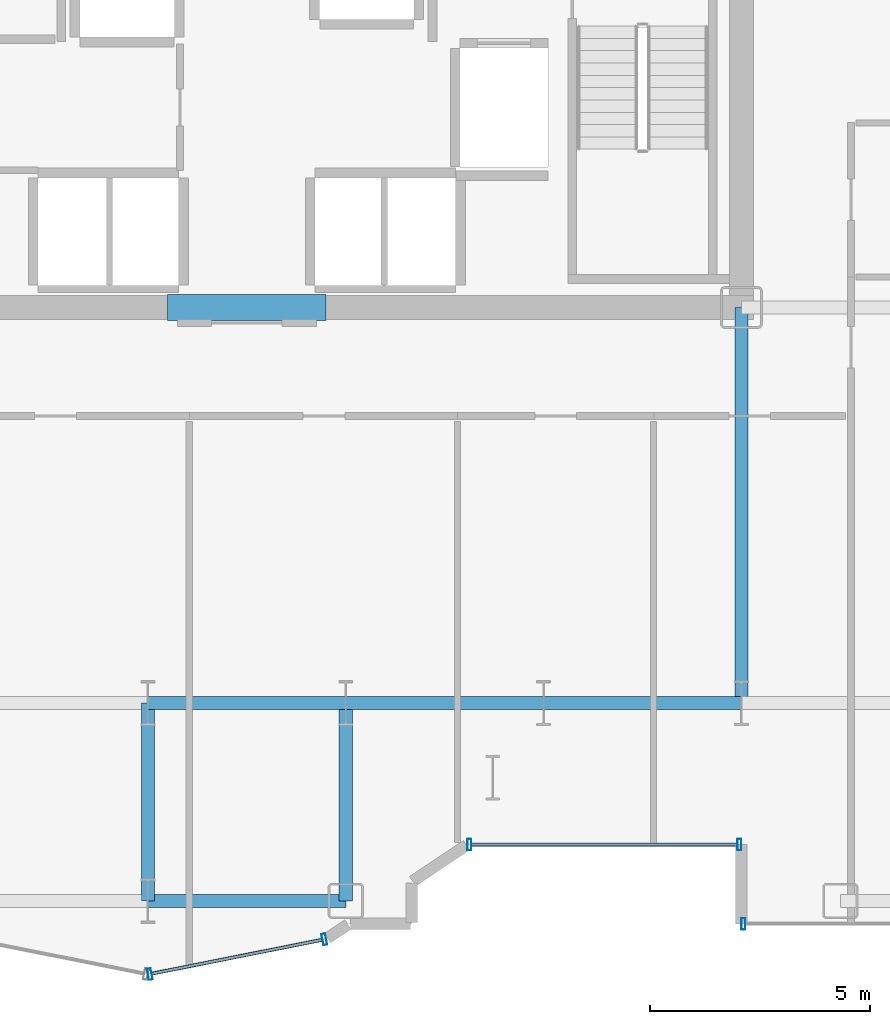
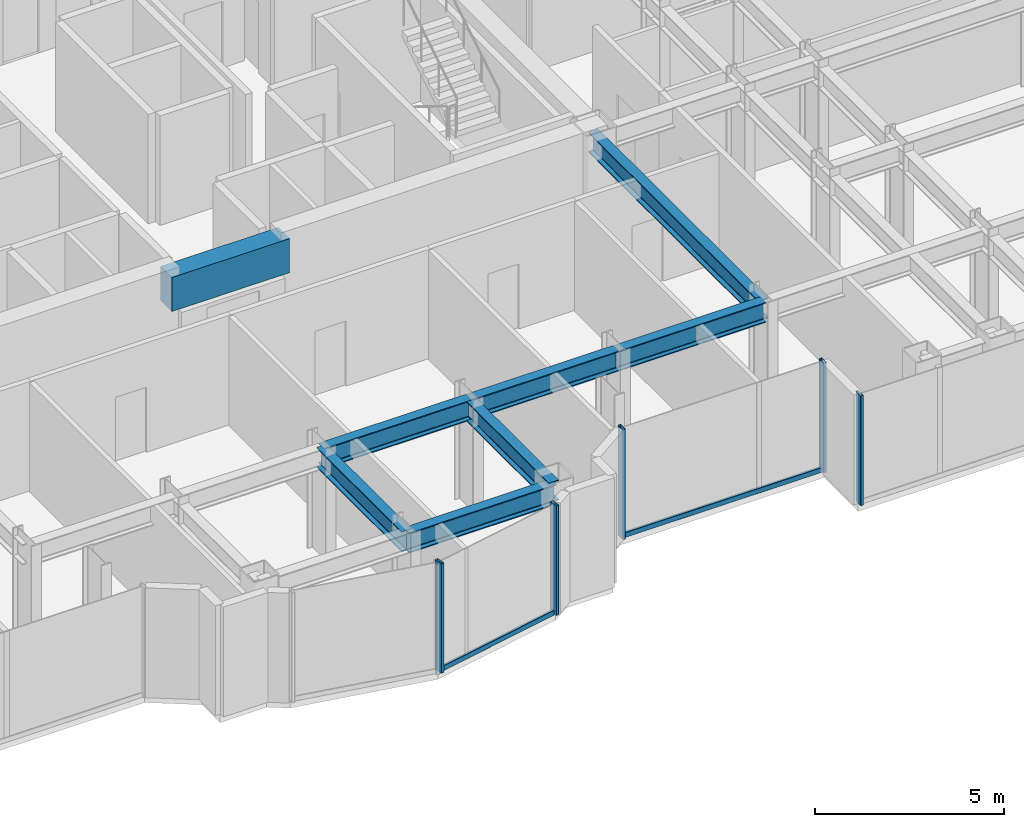
# One storey, part 6 of 26: 8 beams, 7 members, 3 elements without a shape of their own.
"""IFC4 building model written with IfcOpenShell, lengths in metres."""

from ifc_helpers import new_model, si_unit, direction, frame, origin, origin_2d, place, context, subcontext, project, spatial, rectangle, hollow_rectangle, i_section, extrude, source, transform, mapped, material, layer, layer_set, material_profile, profile_set, type_object, element, aggregate, save


model = new_model("IFC4")

# Units and contexts
model_context = context("Model", 3, precision=1e-05, world=origin(), true_north=direction((0.0, 1.0)))
body_context = subcontext(model_context, "Body", "Model", "MODEL_VIEW")
ifc_project = project(units=[si_unit("LENGTHUNIT", "METRE"), si_unit("AREAUNIT", "SQUARE_METRE"), si_unit("VOLUMEUNIT", "CUBIC_METRE"), si_unit("PLANEANGLEUNIT", "RADIAN"), si_unit("MASSUNIT", "GRAM", prefix="KILO")], contexts=[model_context])

# Site, building, storey
site_placement = place(None, origin())
site = spatial("IfcSite", under=ifc_project, at=site_placement, CompositionType="ELEMENT")
building_placement = place(site_placement, origin())
building = spatial("IfcBuilding", under=site, at=building_placement, Name="Nefas-Gora Pilgrimage Tower", CompositionType="ELEMENT")
storey_placement = place(building_placement, frame((0.0, 0.0, 132.60009765625)))
storey = spatial("IfcBuildingStorey", under=building, at=storey_placement, Name="L32", CompositionType="ELEMENT", Elevation=132.60009765625)

# Beams
ifc_material_1 = material(Name="Concrete C60/75", Category="concrete")
ifc_material_profile_1 = material_profile(ifc_material_1, rectangle(XDim=0.60009765625, YDim=1.10009765625, at=origin_2d()), Name="RC 600x1100")
ifc_profile_set_1 = profile_set([ifc_material_profile_1], Name="Concrete C60/75")
beam_type_1 = type_object("IfcBeamType", Name="BM-LIN-RC1100", PredefinedType="LINTEL", material=ifc_profile_set_1)
shared_shape_1 = source(origin(), body_context, "Body", "SweptSolid", [
    extrude(rectangle(XDim=0.60009765625, YDim=1.10009765625, at=origin_2d()), origin(), (0.0, 0.0, 1.0), 3.60009765625),
])
beam_1_placement = place(storey_placement, frame((-1.800048828125, -9.0, 3.0), z_axis=(1.0, 0.0, 0.0), x_axis=(0.0, 1.0, 0.0)))
element("IfcBeam", 1, at=beam_1_placement, inside=storey, type_object=beam_type_1, Name="L32 Core Coupling Lintel Beam S", PredefinedType="LINTEL", context=body_context, shape_type="MappedRepresentation", body=[
    mapped(shared_shape_1, transform((0.0, 0.0, 0.0), x_axis=(1.0, 0.0, 0.0), y_axis=(0.0, 1.0, 0.0), z_axis=(0.0, 0.0, 1.0), scale=1.0)),
])
ifc_material_2 = material(Name="Steel S355", Category="steel")
ifc_material_profile_2 = material_profile(ifc_material_2, i_section(OverallWidth=0.300048828125, OverallDepth=0.64990234375, WebThickness=0.01611328125, FlangeThickness=0.031005859375, FilletRadius=0.027099609375, at=origin_2d()), Name="HEB 650")
ifc_profile_set_2 = profile_set([ifc_material_profile_2], Name="Steel S355")
beam_type_2 = type_object("IfcBeamType", Name="BM-GIR-HEB650", PredefinedType="BEAM", material=ifc_profile_set_2)
shared_shape_2 = source(origin(), body_context, "Body", "SweptSolid", [
    extrude(i_section(OverallWidth=0.300048828125, OverallDepth=0.64990234375, WebThickness=0.01611328125, FlangeThickness=0.031005859375, FilletRadius=0.027099609375, at=origin_2d()), origin(), (0.0, 0.0, 1.0), 9.0),
])
beam_2_placement = place(storey_placement, frame((11.25, -18.0, 3.224853515625), z_axis=(0.0, 1.0, 0.0), x_axis=(-1.0, 0.0, 0.0)))
element("IfcBeam", 2, at=beam_2_placement, inside=storey, type_object=beam_type_2, Name="L32 G-03 beam", PredefinedType="BEAM", context=body_context, shape_type="MappedRepresentation", body=[
    mapped(shared_shape_2, transform((0.0, 0.0, 0.0), x_axis=(1.0, 0.0, 0.0), y_axis=(0.0, 1.0, 0.0), z_axis=(0.0, 0.0, 1.0), scale=1.0)),
])
shared_shape_3 = source(origin(), body_context, "Body", "SweptSolid", [
    extrude(i_section(OverallWidth=0.300048828125, OverallDepth=0.64990234375, WebThickness=0.01611328125, FlangeThickness=0.031005859375, FilletRadius=0.027099609375, at=origin_2d()), origin(), (0.0, 0.0, 1.0), 4.5),
])
for number, where, z_axis, x_axis, name in (
    (3, (-2.25, -22.5, 3.224853515625), (0.0, 1.0, 0.0), (-1.0, 0.0, 0.0), "L32 G-03 beam"),
    (4, (-2.25, -22.5, 3.224853515625), (1.0, 0.0, 0.0), (0.0, 1.0, 0.0), "L32 G-03 beam"),
    (5, (-2.25, -18.0, 3.224853515625), (1.0, 0.0, 0.0), (0.0, 1.0, 0.0), "L32 G-03 beam"),
    (6, (2.25, -22.5, 3.224853515625), (0.0, 1.0, 0.0), (-1.0, 0.0, 0.0), "L32 G-03 beam"),
    (7, (2.25, -18.0, 3.224853515625), (1.0, 0.0, 0.0), (0.0, 1.0, 0.0), "L32 G-03 beam"),
    (8, (6.75, -18.0, 3.224853515625), (1.0, 0.0, 0.0), (0.0, 1.0, 0.0), "L32 G-03 beam"),
):
    element("IfcBeam", number, at=place(storey_placement, frame(where, z_axis=z_axis, x_axis=x_axis)), inside=storey, type_object=beam_type_2, Name=name, PredefinedType="BEAM", context=body_context, shape_type="MappedRepresentation", body=[
        mapped(shared_shape_3, transform((0.0, 0.0, 0.0), x_axis=(1.0, 0.0, 0.0), y_axis=(0.0, 1.0, 0.0), z_axis=(0.0, 0.0, 1.0), scale=1.0)),
    ])

# Curtain wall, member
ifc_material_3 = material(Name="Dark ceramic-fritted solar-control aluminium-glass curtain wall", Category="aluminium")
ifc_layer_1 = layer(ifc_material_3, 0.219970703125)
ifc_layer_set_1 = layer_set([ifc_layer_1], Name="Dark ceramic-fritted solar-control aluminium-glass curtain wall")
curtain_wall_type_1 = type_object("IfcCurtainWallType", Name="CW-SYS-5", PredefinedType="NOTDEFINED", material=ifc_layer_set_1)
curtain_wall_1_placement = place(storey_placement, origin())
curtain_wall_1 = element("IfcCurtainWall", 9, at=curtain_wall_1_placement, inside=storey, type_object=curtain_wall_type_1, Name="L32 Unitised Curtain Wall CW5", PredefinedType="NOTDEFINED")
ifc_material_4 = material(Name="Anodised architectural aluminium", Category="aluminium")
ifc_material_profile_3 = material_profile(ifc_material_4, hollow_rectangle(XDim=0.080078125, YDim=0.159912109375, WallThickness=0.00439453125, InnerFilletRadius=0.00439453125, OuterFilletRadius=0.009033203125, at=origin_2d()), Name="ALU TRANSOM 80x160")
ifc_profile_set_3 = profile_set([ifc_material_profile_3], Name="Anodised architectural aluminium")
member_type_1 = type_object("IfcMemberType", Name="CWM-TRN-5", PredefinedType="USERDEFINED", material=ifc_profile_set_3)
shared_shape_4 = source(origin(), body_context, "Body", "SweptSolid", [
    extrude(hollow_rectangle(XDim=0.080078125, YDim=0.159912109375, WallThickness=0.00439453125, InnerFilletRadius=0.00439453125, OuterFilletRadius=0.009033203125, at=origin_2d()), origin(), (0.0, 0.0, 1.0), 6.052001953125),
])
member_1_placement = place(storey_placement, frame((5.10791015625, -21.219970703125, 0.0498046875), z_axis=(1.0, 0.0, 0.0), x_axis=(0.0, 1.0, 0.0)))
member_1 = element("IfcMember", 10, at=member_1_placement, type_object=member_type_1, Name="CW5 Spandrel Transom", ObjectType="TRANSOM", PredefinedType="USERDEFINED", context=body_context, shape_type="MappedRepresentation", body=[
    mapped(shared_shape_4, transform((0.0, 0.0, 0.0), x_axis=(1.0, 0.0, 0.0), y_axis=(0.0, 1.0, 0.0), z_axis=(0.0, 0.0, 1.0), scale=1.0)),
])

curtain_wall_2_placement = place(storey_placement, origin())
curtain_wall_2 = element("IfcCurtainWall", 11, at=curtain_wall_2_placement, inside=storey, type_object=curtain_wall_type_1, Name="L32 Unitised Curtain Wall CW5", PredefinedType="NOTDEFINED")
shared_shape_5 = source(origin(), body_context, "Body", "SweptSolid", [
    extrude(hollow_rectangle(XDim=0.080078125, YDim=0.159912109375, WallThickness=0.00439453125, InnerFilletRadius=0.00439453125, OuterFilletRadius=0.009033203125, at=origin_2d()), origin(), (0.0, 0.0, 1.0), 3.95654296875),
])
member_2_placement = place(storey_placement, frame((-2.16162109375, -24.15478515625, 0.0498046875), z_axis=(0.980781880918, 0.195107411605, 0.0), x_axis=(-0.195107411605, 0.980781880918, 0.0)))
member_2 = element("IfcMember", 12, at=member_2_placement, type_object=member_type_1, Name="CW5 Spandrel Transom", ObjectType="TRANSOM", PredefinedType="USERDEFINED", context=body_context, shape_type="MappedRepresentation", body=[
    mapped(shared_shape_5, transform((0.0, 0.0, 0.0), x_axis=(1.0, 0.0, 0.0), y_axis=(0.0, 1.0, 0.0), z_axis=(0.0, 0.0, 1.0), scale=1.0)),
])

# Member
ifc_material_profile_4 = material_profile(ifc_material_4, hollow_rectangle(XDim=0.090087890625, YDim=0.260009765625, WallThickness=0.006103515625, InnerFilletRadius=0.006103515625, OuterFilletRadius=0.011962890625, at=origin_2d()), Name="ALU MULLION 90x260")
ifc_profile_set_4 = profile_set([ifc_material_profile_4], Name="Anodised architectural aluminium")
member_type_2 = type_object("IfcMemberType", Name="CWM-MUL-5", PredefinedType="MULLION", material=ifc_profile_set_4)
shared_shape_6 = source(origin(), body_context, "Body", "SweptSolid", [
    extrude(hollow_rectangle(XDim=0.090087890625, YDim=0.260009765625, WallThickness=0.006103515625, InnerFilletRadius=0.006103515625, OuterFilletRadius=0.011962890625, at=origin_2d()), origin(), (0.0, 0.0, 1.0), 3.5498046875),
])
member_3_placement = place(storey_placement, frame((5.06298828125, -21.219970703125, 0.0), z_axis=(0.0, 0.0, 1.0), x_axis=(1.0, 0.0, 0.0)))
member_3 = element("IfcMember", 13, at=member_3_placement, type_object=member_type_2, Name="CW5 Mullion 1", PredefinedType="MULLION", context=body_context, shape_type="MappedRepresentation", body=[
    mapped(shared_shape_6, transform((0.0, 0.0, 0.0), x_axis=(1.0, 0.0, 0.0), y_axis=(0.0, 1.0, 0.0), z_axis=(0.0, 0.0, 1.0), scale=1.0)),
])

member_4_placement = place(storey_placement, frame((11.205078125, -21.219970703125, 0.0), z_axis=(0.0, 0.0, 1.0), x_axis=(1.0, 0.0, 0.0)))
member_4 = element("IfcMember", 14, at=member_4_placement, type_object=member_type_2, Name="CW5 Mullion 2", PredefinedType="MULLION", context=body_context, shape_type="MappedRepresentation", body=[
    mapped(shared_shape_6, transform((0.0, 0.0, 0.0), x_axis=(1.0, 0.0, 0.0), y_axis=(0.0, 1.0, 0.0), z_axis=(0.0, 0.0, 1.0), scale=1.0)),
])

aggregate(curtain_wall_1, [member_3, member_4, member_1])

member_5_placement = place(storey_placement, frame((-2.205810546875, -24.16357421875, 0.0), z_axis=(0.0, 0.0, 1.0), x_axis=(0.980782896852, 0.195102304554, 0.0)))
member_5 = element("IfcMember", 15, at=member_5_placement, type_object=member_type_2, Name="CW5 Mullion 1", PredefinedType="MULLION", context=body_context, shape_type="MappedRepresentation", body=[
    mapped(shared_shape_6, transform((0.0, 0.0, 0.0), x_axis=(1.0, 0.0, 0.0), y_axis=(0.0, 1.0, 0.0), z_axis=(0.0, 0.0, 1.0), scale=1.0)),
])

member_6_placement = place(storey_placement, frame((1.76318359375, -23.3740234375, 0.0), z_axis=(0.0, 0.0, 1.0), x_axis=(0.980782896852, 0.195102304554, 0.0)))
member_6 = element("IfcMember", 16, at=member_6_placement, type_object=member_type_2, Name="CW5 Mullion 2", PredefinedType="MULLION", context=body_context, shape_type="MappedRepresentation", body=[
    mapped(shared_shape_6, transform((0.0, 0.0, 0.0), x_axis=(1.0, 0.0, 0.0), y_axis=(0.0, 1.0, 0.0), z_axis=(0.0, 0.0, 1.0), scale=1.0)),
])

aggregate(curtain_wall_2, [member_5, member_6, member_2])

# Curtain wall, member
ifc_layer_2 = layer(ifc_material_3, 0.219970703125)
ifc_layer_set_2 = layer_set([ifc_layer_2], Name="Dark ceramic-fritted solar-control aluminium-glass curtain wall")
curtain_wall_type_2 = type_object("IfcCurtainWallType", Name="CW-SYS-2", PredefinedType="NOTDEFINED", material=ifc_layer_set_2)
curtain_wall_3_placement = place(storey_placement, origin())
curtain_wall_3 = element("IfcCurtainWall", 17, at=curtain_wall_3_placement, inside=storey, type_object=curtain_wall_type_2, Name="L32 Unitised Curtain Wall CW2", PredefinedType="NOTDEFINED")
ifc_material_profile_5 = material_profile(ifc_material_4, hollow_rectangle(XDim=0.090087890625, YDim=0.260009765625, WallThickness=0.006103515625, InnerFilletRadius=0.006103515625, OuterFilletRadius=0.011962890625, at=origin_2d()), Name="ALU MULLION 90x260")
ifc_profile_set_5 = profile_set([ifc_material_profile_5], Name="Anodised architectural aluminium")
member_type_3 = type_object("IfcMemberType", Name="CWM-MUL-2", PredefinedType="MULLION", material=ifc_profile_set_5)
shared_shape_7 = source(origin(), body_context, "Body", "SweptSolid", [
    extrude(hollow_rectangle(XDim=0.090087890625, YDim=0.260009765625, WallThickness=0.006103515625, InnerFilletRadius=0.006103515625, OuterFilletRadius=0.011962890625, at=origin_2d()), origin(), (0.0, 0.0, 1.0), 3.5498046875),
])
member_7_placement = place(storey_placement, frame((11.294921875, -23.02001953125, 0.0), z_axis=(0.0, 0.0, 1.0), x_axis=(1.0, 0.0, 0.0)))
member_7 = element("IfcMember", 18, at=member_7_placement, type_object=member_type_3, Name="CW2 Mullion 1", PredefinedType="MULLION", context=body_context, shape_type="MappedRepresentation", body=[
    mapped(shared_shape_7, transform((0.0, 0.0, 0.0), x_axis=(1.0, 0.0, 0.0), y_axis=(0.0, 1.0, 0.0), z_axis=(0.0, 0.0, 1.0), scale=1.0)),
])
aggregate(curtain_wall_3, [member_7])

save(model, "model.ifc")
